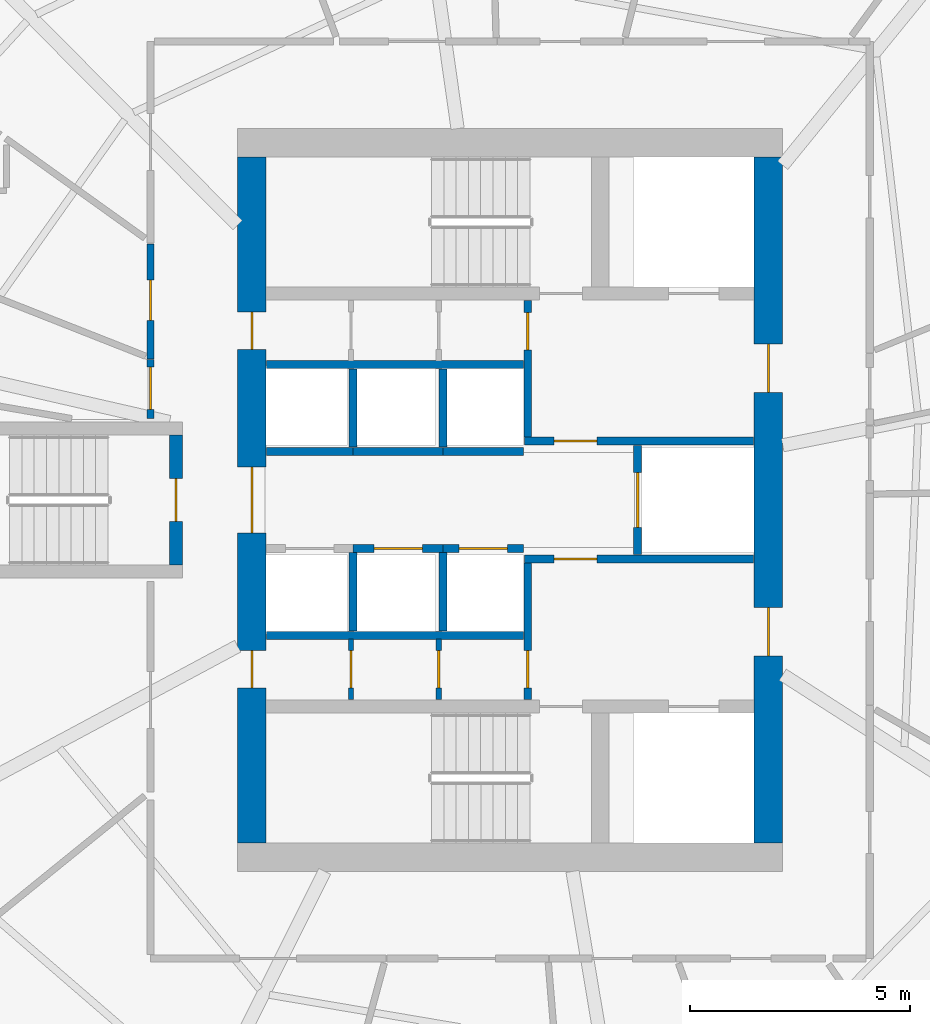
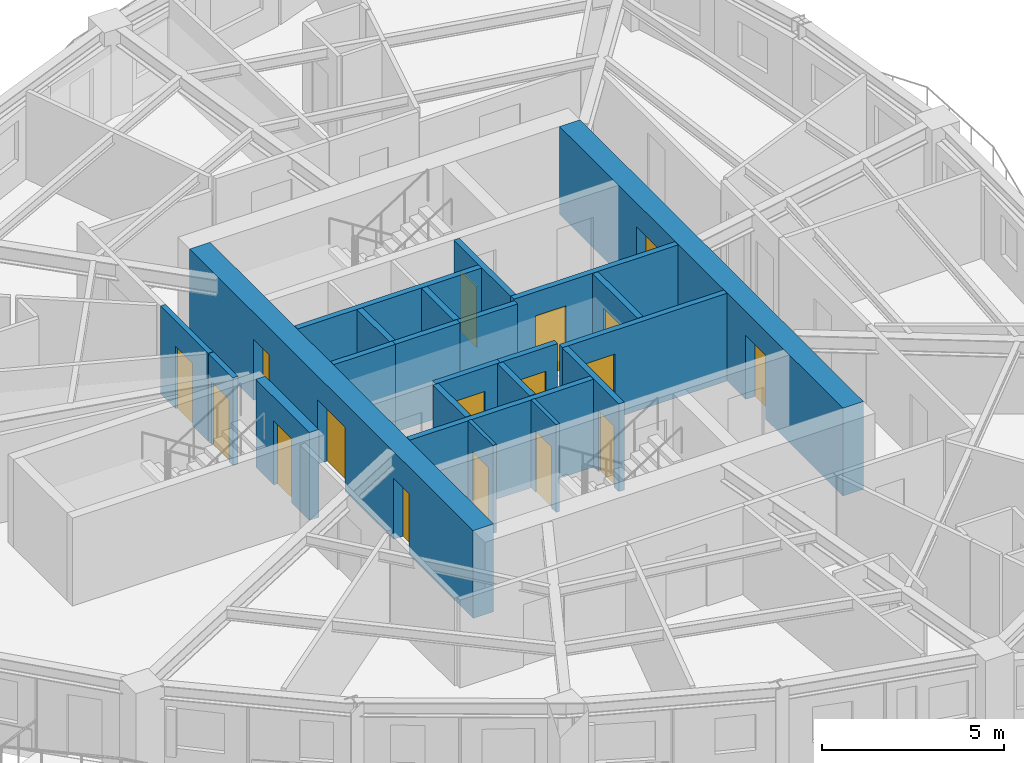
# One storey, part 5 of 12: 23 walls, 17 doors, 17 openings.
"""IFC4 building model written with IfcOpenShell, lengths in metres."""

import ifcopenshell
import ifcopenshell.guid

model = None  # the IFC model being written
_history = None  # IfcOwnerHistory: only IFC2X3 demands one
_inside = {}  # id of a spatial element -> (the spatial element, [elements in it])
_under = {}  # id of a project, library or spatial element -> (it, [spatial elements below it])
_declared = {}  # id of a project -> (the project, [libraries it declares])
_typed = {}  # id of a type object -> (the type object, [elements of that type])
_made_of = {}  # id of a material, layer set ... -> (it, [elements and type objects made of it])


def new_model(schema):
    """Start an empty IFC model of exactly this schema.

    Asked for "IFC4X3", IfcOpenShell would pick the latest addendum, in which some entities
    have other attributes; the version numbers below select the first issue.
    IFC2X3 requires an IfcOwnerHistory on every rooted entity: one is made here for all.
    """
    global model, _history
    if schema == "IFC4X3":
        model = ifcopenshell.file(schema_version=(4, 3, 0, 0))
    else:
        model = ifcopenshell.file(schema=schema)
    _inside.clear()
    _under.clear()
    _declared.clear()
    _typed.clear()
    _made_of.clear()
    _history = None
    if model.schema == "IFC2X3":
        org = make("IfcOrganization", Name="unknown")
        user = make(
            "IfcPersonAndOrganization",
            ThePerson=make("IfcPerson", FamilyName="unknown"),
            TheOrganization=org,
        )
        app = make(
            "IfcApplication",
            ApplicationDeveloper=org,
            Version="unknown",
            ApplicationFullName="unknown",
            ApplicationIdentifier="unknown",
        )
        _history = make(
            "IfcOwnerHistory",
            OwningUser=user,
            OwningApplication=app,
            ChangeAction="ADDED",
            CreationDate=0,
        )
    return model


def make(cls, **values):
    """One entity of the class cls with the attributes given. An attribute that is None is left unset."""
    return model.create_entity(
        cls, **{name: value for name, value in values.items() if value is not None}
    )


def rooted(cls, **values):
    """An entity with a GlobalId (a new one), such as an element, a storey or a relation."""
    return make(cls, GlobalId=ifcopenshell.guid.new(), OwnerHistory=_history, **values)


def si_unit(unit_type, name, prefix=None):
    """IfcSIUnit, for example si_unit("LENGTHUNIT", "METRE", prefix="MILLI")."""
    return make("IfcSIUnit", UnitType=unit_type, Prefix=prefix, Name=name)


def assignment(units):
    """IfcUnitAssignment: the units of a project."""
    return None if units is None else make("IfcUnitAssignment", Units=units)


def point(xyz):
    """IfcCartesianPoint."""
    return None if xyz is None else make("IfcCartesianPoint", Coordinates=xyz)


def direction(xyz):
    """IfcDirection."""
    return None if xyz is None else make("IfcDirection", DirectionRatios=xyz)


def frame(location, z_axis=None, x_axis=None):
    """IfcAxis2Placement3D, a coordinate frame: its origin and axes. An axis left out is left unset."""
    return make(
        "IfcAxis2Placement3D",
        Location=point(location),
        Axis=direction(z_axis),
        RefDirection=direction(x_axis),
    )


def frame_2d(location, x_axis=None):
    """IfcAxis2Placement2D, a coordinate frame in the plane: its origin and x axis."""
    return make(
        "IfcAxis2Placement2D", Location=point(location), RefDirection=direction(x_axis)
    )


def origin():
    """The frame at (0, 0, 0) with its axes left unset."""
    return frame((0.0, 0.0, 0.0))


def place(relative_to, where):
    """IfcLocalPlacement: puts the frame where relative to a parent placement (None: the world)."""
    return make(
        "IfcLocalPlacement", PlacementRelTo=relative_to, RelativePlacement=where
    )


def context(
    kind, dimensions, precision=None, world=None, true_north=None, identifier=None
):
    """IfcGeometricRepresentationContext, for example the 3D "Model" context."""
    return make(
        "IfcGeometricRepresentationContext",
        ContextIdentifier=identifier,
        ContextType=kind,
        CoordinateSpaceDimension=dimensions,
        Precision=precision,
        WorldCoordinateSystem=world,
        TrueNorth=true_north,
    )


def subcontext(parent, identifier, kind, view, scale=None):
    """IfcGeometricRepresentationSubContext, for example "Body" below "Model"."""
    return make(
        "IfcGeometricRepresentationSubContext",
        ContextIdentifier=identifier,
        ContextType=kind,
        ParentContext=parent,
        TargetScale=scale,
        TargetView=view,
    )


def project(units=None, contexts=None):
    """IfcProject with its units and contexts."""
    return rooted(
        "IfcProject",
        Name="project",
        RepresentationContexts=contexts,
        UnitsInContext=assignment(units),
    )


def spatial(cls, under=None, at=None, **own):
    """A site, building, storey or space (cls), placed at a placement, below another one or the project."""
    s = rooted(cls, ObjectPlacement=at, **own)
    if under is not None:
        _under.setdefault(under.id(), (under, []))[1].append(s)
    return s


def profile(cls, at=None, kind="AREA", **sizes):
    """A parametric profile (cls). Its sizes go by their IFC names, for example OverallWidth=200.0."""
    return make(cls, ProfileType=kind, Position=at, **sizes)


def rectangle(**sizes):
    """IfcRectangleProfileDef."""
    return profile("IfcRectangleProfileDef", **sizes)


def extrude(swept, where, along, depth):
    """IfcExtrudedAreaSolid: the profile swept, set in the frame where, extruded along a direction by depth."""
    return make(
        "IfcExtrudedAreaSolid",
        SweptArea=swept,
        Position=where,
        ExtrudedDirection=direction(along),
        Depth=depth,
    )


def shape(context_of_items, identifier, shape_type, items):
    """IfcShapeRepresentation: the items that make up one representation, for example the "Body"."""
    return make(
        "IfcShapeRepresentation",
        ContextOfItems=context_of_items,
        RepresentationIdentifier=identifier,
        RepresentationType=shape_type,
        Items=items,
    )


def source(mapping_origin, context_of_items, identifier, shape_type, items):
    """IfcRepresentationMap: a shape defined once, which mapped items show again and again."""
    return make(
        "IfcRepresentationMap",
        MappingOrigin=mapping_origin,
        MappedRepresentation=shape(context_of_items, identifier, shape_type, items),
    )


def transform(
    local_origin,
    x_axis=None,
    y_axis=None,
    z_axis=None,
    scale=None,
    scale2=None,
    scale3=None,
    uniform=True,
):
    """IfcCartesianTransformationOperator3D, or its non-uniform kind. x_axis, y_axis, z_axis: its Axis1, 2, 3."""
    if uniform:
        return make(
            "IfcCartesianTransformationOperator3D",
            Axis1=direction(x_axis),
            Axis2=direction(y_axis),
            LocalOrigin=point(local_origin),
            Scale=scale,
            Axis3=direction(z_axis),
        )
    return make(
        "IfcCartesianTransformationOperator3DnonUniform",
        Axis1=direction(x_axis),
        Axis2=direction(y_axis),
        LocalOrigin=point(local_origin),
        Scale=scale,
        Axis3=direction(z_axis),
        Scale2=scale2,
        Scale3=scale3,
    )


def mapped(mapping_source, mapping_target):
    """IfcMappedItem: shows the shape of a source again, moved by a transform."""
    return make(
        "IfcMappedItem", MappingSource=mapping_source, MappingTarget=mapping_target
    )


def material(Name=None, Category=None):
    """IfcMaterial."""
    return make("IfcMaterial", Name=Name, Category=Category)


def layer(
    of_material, thickness, ventilated=None, Name=None, Category=None, Priority=None
):
    """IfcMaterialLayer: one layer of a wall or slab, of a material (None: an air gap)."""
    return make(
        "IfcMaterialLayer",
        Material=of_material,
        LayerThickness=thickness,
        IsVentilated=ventilated,
        Name=Name,
        Category=Category,
        Priority=Priority,
    )


def layer_set(layers, Name=None):
    """IfcMaterialLayerSet."""
    return make("IfcMaterialLayerSet", MaterialLayers=layers, LayerSetName=Name)


def made_of(thing, what):
    """Note that an element or type object is made of a material, layer set ...; save() writes the relation."""
    if what is not None:
        _made_of.setdefault(what.id(), (what, []))[1].append(thing)
    return thing


def type_object(cls, material=None, **own):
    """A type object (cls), such as IfcWallType, which elements share."""
    return made_of(rooted(cls, **own), material)


def element(
    cls,
    number,
    at=None,
    inside=None,
    cuts=None,
    type_object=None,
    material=None,
    context=None,
    identifier="Body",
    shape_type=None,
    held_by="IfcProductDefinitionShape",
    body=None,
    shapes=None,
    **own,
):
    """One element of the class cls, such as IfcWall. Its Tag is "e" and its number.

    at: its placement. inside: the storey or other place that contains it. cuts: it is an
    opening in that element (IfcRelVoidsElement). A single representation is given by context,
    identifier, shape_type and body (its items); several are given by shapes. held_by: the class
    of the entity that holds the representations. save() writes the other relations.
    """
    e = rooted(cls, Tag="e%d" % number, ObjectPlacement=at, **own)
    if body is not None:
        shapes = [shape(context, identifier, shape_type, body)]
    if shapes is not None:
        e.Representation = make(held_by, Representations=shapes)
    if inside is not None:
        _inside.setdefault(inside.id(), (inside, []))[1].append(e)
    if cuts is not None:
        rooted(
            "IfcRelVoidsElement", RelatingBuildingElement=cuts, RelatedOpeningElement=e
        )
    if type_object is not None:
        _typed.setdefault(type_object.id(), (type_object, []))[1].append(e)
    return made_of(e, material)


def fill(opening, filler):
    """IfcRelFillsElement: the door or window that sits in an opening."""
    return rooted(
        "IfcRelFillsElement",
        RelatingOpeningElement=opening,
        RelatedBuildingElement=filler,
    )


def aggregate(whole, parts):
    """IfcRelAggregates: a whole, such as a stair, and the parts it consists of."""
    return rooted("IfcRelAggregates", RelatingObject=whole, RelatedObjects=parts)


def save(model, path):
    """Write the relations noted so far, then the file.

    IfcRelAggregates (storeys below a building ...), IfcRelContainedInSpatialStructure (elements
    in a storey), IfcRelDefinesByType, IfcRelAssociatesMaterial and IfcRelDeclares: one each for
    every whole, place, type object, material and project.
    """
    for whole, parts in _under.values():
        aggregate(whole, parts)
    for where, things in _inside.values():
        rooted(
            "IfcRelContainedInSpatialStructure",
            RelatedElements=things,
            RelatingStructure=where,
        )
    for kind, things in _typed.values():
        rooted("IfcRelDefinesByType", RelatedObjects=things, RelatingType=kind)
    for what, things in _made_of.values():
        rooted("IfcRelAssociatesMaterial", RelatedObjects=things, RelatingMaterial=what)
    for by, libraries in _declared.values():
        rooted("IfcRelDeclares", RelatingContext=by, RelatedDefinitions=libraries)
    model.write(path)


model = new_model("IFC4")

# Units and contexts
model_context = context("Model", 3, precision=1e-05, world=origin(), true_north=direction((0.0, 1.0)))
body_context = subcontext(model_context, "Body", "Model", "MODEL_VIEW")
ifc_project = project(units=[si_unit("LENGTHUNIT", "METRE"), si_unit("AREAUNIT", "SQUARE_METRE"), si_unit("VOLUMEUNIT", "CUBIC_METRE"), si_unit("PLANEANGLEUNIT", "RADIAN"), si_unit("MASSUNIT", "GRAM", prefix="KILO")], contexts=[model_context])

# Site, building, storey
site_placement = place(None, origin())
site = spatial("IfcSite", under=ifc_project, at=site_placement, CompositionType="ELEMENT")
building_placement = place(site_placement, origin())
building = spatial("IfcBuilding", under=site, at=building_placement, Name="Qafzar Sky-Pleat Residences", CompositionType="ELEMENT")
storey_placement = place(building_placement, frame((0.0, 0.0, 121.60009765625)))
storey = spatial("IfcBuildingStorey", under=building, at=storey_placement, Name="L36", CompositionType="ELEMENT", Elevation=121.60009765625)

# Wall, opening, door
ifc_material_1 = material(Name="Acoustic gypsum plasterboard partition", Category="gypsum")
ifc_layer_1 = layer(ifc_material_1, 0.159912109375)
ifc_layer_set_1 = layer_set([ifc_layer_1], Name="Acoustic gypsum plasterboard partition")
wall_type_1 = type_object("IfcWallType", Name="PART-COR-160", PredefinedType="PARTITIONING", material=ifc_layer_set_1)
wall_1_placement = place(storey_placement, frame((22.169921875, 29.208984375, 0.0), z_axis=(0.0, 0.0, 1.0), x_axis=(0.0, 1.0, 0.0)))
wall_1 = element("IfcWall", 1, at=wall_1_placement, inside=storey, type_object=wall_type_1, Name="L36 Partition Wall PART-L36-PW-013", PredefinedType="PARTITIONING", context=body_context, shape_type="SweptSolid", body=[
    extrude(rectangle(XDim=2.6201171875, YDim=0.159912109375, at=frame_2d((1.31005859375, 0.0))), origin(), (0.0, 0.0, 1.0), 2.949951171875),
])
opening_1_placement = place(wall_1_placement, frame((0.87548828125, 0.0, 0.0)))
opening_1 = element("IfcOpeningElement", 2, at=opening_1_placement, cuts=wall_1, Name="Opening ID-04", PredefinedType="OPENING", context=body_context, shape_type="SweptSolid", body=[
    extrude(rectangle(XDim=0.919921875, YDim=2.10009765625, at=frame_2d((0.4599609375, 1.050048828125))), frame((0.0, 0.08984375, 0.0), z_axis=(0.0, -1.0, 0.0), x_axis=(1.0, 0.0, 0.0)), (0.0, 0.0, 1.0), 0.179931640625),
])
ifc_material_2 = material(Name="Timber-faced fire door", Category="wood")
door_type_1 = type_object("IfcDoorType", Name="DR-BED-920", OperationType="NOTDEFINED", PredefinedType="DOOR", material=ifc_material_2)
shared_shape_1 = source(origin(), body_context, "Body", "SweptSolid", [
    extrude(rectangle(XDim=0.919921875, YDim=2.10009765625, at=frame_2d((0.4599609375, 1.050048828125))), frame((0.0, 0.02490234375, 0.0), z_axis=(0.0, -1.0, 0.0), x_axis=(1.0, 0.0, 0.0)), (0.0, 0.0, 1.0), 0.050048828125),
])
door_1_placement = place(opening_1_placement, origin())
door_1 = element("IfcDoor", 3, at=door_1_placement, inside=storey, type_object=door_type_1, Name="L36 Co-Living Bedroom 2 Door", OperationType="SINGLE_SWING_LEFT", OverallHeight=2.10009765625, OverallWidth=0.919921875, PredefinedType="DOOR", context=body_context, shape_type="MappedRepresentation", body=[
    mapped(shared_shape_1, transform((0.0, 0.0, 0.0), x_axis=(1.0, 0.0, 0.0), y_axis=(0.0, 1.0, 0.0), z_axis=(0.0, 0.0, 1.0), scale=1.0)),
])
fill(opening_1, door_1)

wall_2_placement = place(storey_placement, frame((22.169921875, 27.85009765625, 0.0), z_axis=(0.0, 0.0, 1.0), x_axis=(0.0, 1.0, 0.0)))
wall_2 = element("IfcWall", 4, at=wall_2_placement, inside=storey, type_object=wall_type_1, Name="L36 Partition Wall PART-L36-PW-020", PredefinedType="PARTITIONING", context=body_context, shape_type="SweptSolid", body=[
    extrude(rectangle(XDim=1.343994140625, YDim=0.159912109375, at=frame_2d((0.671875, 0.0))), origin(), (0.0, 0.0, 1.0), 2.949951171875),
])
opening_2_placement = place(wall_2_placement, frame((0.211181640625, 0.0, 0.0)))
opening_2 = element("IfcOpeningElement", 5, at=opening_2_placement, cuts=wall_2, Name="Opening ID-06", PredefinedType="OPENING", context=body_context, shape_type="SweptSolid", body=[
    extrude(rectangle(XDim=0.9599609375, YDim=2.10009765625, at=frame_2d((0.47998046875, 1.050048828125))), frame((0.0, 0.08984375, 0.0), z_axis=(0.0, -1.0, 0.0), x_axis=(1.0, 0.0, 0.0)), (0.0, 0.0, 1.0), 0.179931640625),
])
door_type_2 = type_object("IfcDoorType", Name="DR-STD-960", OperationType="NOTDEFINED", PredefinedType="DOOR", material=ifc_material_2)
shared_shape_2 = source(origin(), body_context, "Body", "SweptSolid", [
    extrude(rectangle(XDim=0.9599609375, YDim=2.10009765625, at=frame_2d((0.47998046875, 1.050048828125))), frame((0.0, 0.02490234375, 0.0), z_axis=(0.0, -1.0, 0.0), x_axis=(1.0, 0.0, 0.0)), (0.0, 0.0, 1.0), 0.050048828125),
])
door_2_placement = place(opening_2_placement, origin())
door_2 = element("IfcDoor", 6, at=door_2_placement, inside=storey, type_object=door_type_2, Name="L36 Common Dining Room Door", OperationType="SINGLE_SWING_RIGHT", OverallHeight=2.10009765625, OverallWidth=0.9599609375, PredefinedType="DOOR", context=body_context, shape_type="MappedRepresentation", body=[
    mapped(shared_shape_2, transform((0.0, 0.0, 0.0), x_axis=(1.0, 0.0, 0.0), y_axis=(0.0, 1.0, 0.0), z_axis=(0.0, 0.0, 1.0), scale=1.0)),
])
fill(opening_2, door_2)

ifc_material_3 = material(Name="Concrete blockwork partition", Category="masonry")
ifc_layer_2 = layer(ifc_material_3, 0.179931640625)
ifc_layer_set_2 = layer_set([ifc_layer_2], Name="Concrete blockwork partition")
wall_type_2 = type_object("IfcWallType", Name="PART-SHAFT-180", PredefinedType="PARTITIONING", material=ifc_layer_set_2)
wall_3_placement = place(storey_placement, frame((30.75, 21.4599609375, 0.0), z_axis=(0.0, 0.0, 1.0), x_axis=(0.0, 1.0, 0.0)))
wall_3 = element("IfcWall", 7, at=wall_3_placement, inside=storey, type_object=wall_type_2, Name="L36 Partition Wall PART-L36-FFL1-W", PredefinedType="PARTITIONING", context=body_context, shape_type="SweptSolid", body=[
    extrude(rectangle(XDim=3.110107421875, YDim=0.179931640625, at=frame_2d((1.55517578125, 0.0))), origin(), (0.0, 0.0, 1.0), 2.949951171875),
])
opening_3_placement = place(wall_3_placement, frame((0.260009765625, 0.0, 0.0)))
opening_3 = element("IfcOpeningElement", 8, at=opening_3_placement, cuts=wall_3, Name="Opening ID-09", PredefinedType="OPENING", context=body_context, shape_type="SweptSolid", body=[
    extrude(rectangle(XDim=0.860107421875, YDim=2.050048828125, at=frame_2d((0.43017578125, 1.02490234375))), frame((0.0, 0.10009765625, 0.0), z_axis=(0.0, -1.0, 0.0), x_axis=(1.0, 0.0, 0.0)), (0.0, 0.0, 1.0), 0.199951171875),
])
door_type_3 = type_object("IfcDoorType", Name="DR-SVC-860", OperationType="NOTDEFINED", PredefinedType="DOOR", material=ifc_material_2)
shared_shape_3 = source(origin(), body_context, "Body", "SweptSolid", [
    extrude(rectangle(XDim=0.860107421875, YDim=2.050048828125, at=frame_2d((0.43017578125, 1.02490234375))), frame((0.0, 0.02490234375, 0.0), z_axis=(0.0, -1.0, 0.0), x_axis=(1.0, 0.0, 0.0)), (0.0, 0.0, 1.0), 0.050048828125),
])
door_3_placement = place(opening_3_placement, origin())
door_3 = element("IfcDoor", 9, at=door_3_placement, inside=storey, type_object=door_type_3, Name="L36 South Core Cupboard Door", OperationType="SINGLE_SWING_LEFT", OverallHeight=2.050048828125, OverallWidth=0.860107421875, PredefinedType="DOOR", context=body_context, shape_type="MappedRepresentation", body=[
    mapped(shared_shape_3, transform((0.0, 0.0, 0.0), x_axis=(1.0, 0.0, 0.0), y_axis=(0.0, 1.0, 0.0), z_axis=(0.0, 0.0, 1.0), scale=1.0)),
])
fill(opening_3, door_3)

wall_4_placement = place(storey_placement, frame((30.669921875, 24.659912109375, 0.0), z_axis=(0.0, 0.0, 1.0), x_axis=(1.0, 0.0, 0.0)))
wall_4 = element("IfcWall", 10, at=wall_4_placement, inside=storey, type_object=wall_type_2, Name="L36 Partition Wall PART-L36-FFL1-N", PredefinedType="PARTITIONING", context=body_context, shape_type="SweptSolid", body=[
    extrude(rectangle(XDim=5.219970703125, YDim=0.179931640625, at=frame_2d((2.60986328125, 0.0))), origin(), (0.0, 0.0, 1.0), 2.949951171875),
])
opening_4_placement = place(wall_4_placement, frame((0.679931640625, 0.0, 0.0)))
opening_4 = element("IfcOpeningElement", 11, at=opening_4_placement, cuts=wall_4, Name="Opening ID-01", PredefinedType="OPENING", context=body_context, shape_type="SweptSolid", body=[
    extrude(rectangle(XDim=0.97998046875, YDim=2.14990234375, at=frame_2d((0.489990234375, 1.074951171875))), frame((0.0, 0.10009765625, 0.0), z_axis=(0.0, -1.0, 0.0), x_axis=(1.0, 0.0, 0.0)), (0.0, 0.0, 1.0), 0.199951171875),
])
door_type_4 = type_object("IfcDoorType", Name="DR-STAIR-980", OperationType="NOTDEFINED", PredefinedType="DOOR", material=ifc_material_2)
shared_shape_4 = source(origin(), body_context, "Body", "SweptSolid", [
    extrude(rectangle(XDim=0.97998046875, YDim=2.14990234375, at=frame_2d((0.489990234375, 1.074951171875))), frame((0.0, 0.02490234375, 0.0), z_axis=(0.0, -1.0, 0.0), x_axis=(1.0, 0.0, 0.0)), (0.0, 0.0, 1.0), 0.050048828125),
])
door_4_placement = place(opening_4_placement, origin())
door_4 = element("IfcDoor", 12, at=door_4_placement, inside=storey, type_object=door_type_4, Name="L36 Lift Lobby to South Firefighting Lobby Door", OperationType="SINGLE_SWING_RIGHT", OverallHeight=2.14990234375, OverallWidth=0.97998046875, PredefinedType="DOOR", context=body_context, shape_type="MappedRepresentation", body=[
    mapped(shared_shape_4, transform((0.0, 0.0, 0.0), x_axis=(1.0, 0.0, 0.0), y_axis=(0.0, 1.0, 0.0), z_axis=(0.0, 0.0, 1.0), scale=1.0)),
])
fill(opening_4, door_4)

wall_5_placement = place(storey_placement, frame((30.75, 27.429931640625, 0.0), z_axis=(0.0, 0.0, 1.0), x_axis=(0.0, 1.0, 0.0)))
wall_5 = element("IfcWall", 13, at=wall_5_placement, inside=storey, type_object=wall_type_2, Name="L36 Partition Wall PART-L36-FFL2-W", PredefinedType="PARTITIONING", context=body_context, shape_type="SweptSolid", body=[
    extrude(rectangle(XDim=3.110107421875, YDim=0.179931640625, at=frame_2d((1.55517578125, 0.0))), origin(), (0.0, 0.0, 1.0), 2.949951171875),
])
opening_5_placement = place(wall_5_placement, frame((1.97998046875, 0.0, 0.0)))
opening_5 = element("IfcOpeningElement", 14, at=opening_5_placement, cuts=wall_5, Name="Opening ID-09", PredefinedType="OPENING", context=body_context, shape_type="SweptSolid", body=[
    extrude(rectangle(XDim=0.860107421875, YDim=2.050048828125, at=frame_2d((0.43017578125, 1.02490234375))), frame((0.0, 0.10009765625, 0.0), z_axis=(0.0, -1.0, 0.0), x_axis=(1.0, 0.0, 0.0)), (0.0, 0.0, 1.0), 0.199951171875),
])
door_5_placement = place(opening_5_placement, origin())
door_5 = element("IfcDoor", 15, at=door_5_placement, inside=storey, type_object=door_type_3, Name="L36 North Core Cupboard Door", OperationType="SINGLE_SWING_LEFT", OverallHeight=2.050048828125, OverallWidth=0.860107421875, PredefinedType="DOOR", context=body_context, shape_type="MappedRepresentation", body=[
    mapped(shared_shape_3, transform((0.0, 0.0, 0.0), x_axis=(1.0, 0.0, 0.0), y_axis=(0.0, 1.0, 0.0), z_axis=(0.0, 0.0, 1.0), scale=1.0)),
])
fill(opening_5, door_5)

wall_6_placement = place(storey_placement, frame((30.669921875, 27.340087890625, 0.0), z_axis=(0.0, 0.0, 1.0), x_axis=(1.0, 0.0, 0.0)))
wall_6 = element("IfcWall", 16, at=wall_6_placement, inside=storey, type_object=wall_type_2, Name="L36 Partition Wall PART-L36-FFL2-S", PredefinedType="PARTITIONING", context=body_context, shape_type="SweptSolid", body=[
    extrude(rectangle(XDim=5.219970703125, YDim=0.179931640625, at=frame_2d((2.60986328125, 0.0))), origin(), (0.0, 0.0, 1.0), 2.949951171875),
])
opening_6_placement = place(wall_6_placement, frame((0.679931640625, 0.0, 0.0)))
opening_6 = element("IfcOpeningElement", 17, at=opening_6_placement, cuts=wall_6, Name="Opening ID-01", PredefinedType="OPENING", context=body_context, shape_type="SweptSolid", body=[
    extrude(rectangle(XDim=0.97998046875, YDim=2.14990234375, at=frame_2d((0.489990234375, 1.074951171875))), frame((0.0, 0.10009765625, 0.0), z_axis=(0.0, -1.0, 0.0), x_axis=(1.0, 0.0, 0.0)), (0.0, 0.0, 1.0), 0.199951171875),
])
door_6_placement = place(opening_6_placement, origin())
door_6 = element("IfcDoor", 18, at=door_6_placement, inside=storey, type_object=door_type_4, Name="L36 Lift Lobby to North Firefighting Lobby Door", OperationType="SINGLE_SWING_RIGHT", OverallHeight=2.14990234375, OverallWidth=0.97998046875, PredefinedType="DOOR", context=body_context, shape_type="MappedRepresentation", body=[
    mapped(shared_shape_4, transform((0.0, 0.0, 0.0), x_axis=(1.0, 0.0, 0.0), y_axis=(0.0, 1.0, 0.0), z_axis=(0.0, 0.0, 1.0), scale=1.0)),
])
fill(opening_6, door_6)

wall_7_placement = place(storey_placement, frame((33.25, 24.760009765625, 0.0), z_axis=(0.0, 0.0, 1.0), x_axis=(0.0, 1.0, 0.0)))
wall_7 = element("IfcWall", 19, at=wall_7_placement, inside=storey, type_object=wall_type_2, Name="L36 Partition Wall PART-L36-SV1-W", PredefinedType="PARTITIONING", context=body_context, shape_type="SweptSolid", body=[
    extrude(rectangle(XDim=2.47998046875, YDim=0.179931640625, at=frame_2d((1.239990234375, 0.0))), origin(), (0.0, 0.0, 1.0), 2.949951171875),
])
opening_7_placement = place(wall_7_placement, frame((0.614990234375, 0.0, 0.0)))
opening_7 = element("IfcOpeningElement", 20, at=opening_7_placement, cuts=wall_7, Name="Opening LD-03", PredefinedType="OPENING", context=body_context, shape_type="SweptSolid", body=[
    extrude(rectangle(XDim=1.25, YDim=2.14990234375, at=frame_2d((0.625, 1.074951171875))), frame((0.0, 0.10009765625, 0.0), z_axis=(0.0, -1.0, 0.0), x_axis=(1.0, 0.0, 0.0)), (0.0, 0.0, 1.0), 0.199951171875),
])
ifc_material_4 = material(Name="Stainless steel sliding landing door", Category="steel")
door_type_5 = type_object("IfcDoorType", Name="DR-LIFT-SV", OperationType="DOUBLE_DOOR_SLIDING", PredefinedType="DOOR", material=ifc_material_4)
shared_shape_5 = source(origin(), body_context, "Body", "SweptSolid", [
    extrude(rectangle(XDim=1.25, YDim=2.14990234375, at=frame_2d((0.625, 1.074951171875))), frame((0.0, 0.02490234375, 0.0), z_axis=(0.0, -1.0, 0.0), x_axis=(1.0, 0.0, 0.0)), (0.0, 0.0, 1.0), 0.050048828125),
])
door_7_placement = place(opening_7_placement, origin())
door_7 = element("IfcDoor", 21, at=door_7_placement, inside=storey, type_object=door_type_5, Name="L36 Service Lift SV1 Landing Door", OperationType="DOUBLE_DOOR_SLIDING", OverallHeight=2.14990234375, OverallWidth=1.25, PredefinedType="DOOR", context=body_context, shape_type="MappedRepresentation", body=[
    mapped(shared_shape_5, transform((0.0, 0.0, 0.0), x_axis=(1.0, 0.0, 0.0), y_axis=(0.0, 1.0, 0.0), z_axis=(0.0, 0.0, 1.0), scale=1.0)),
])
fill(opening_7, door_7)

# Wall
wall_8_placement = place(storey_placement, frame((24.81005859375, 22.919921875, 0.0), z_axis=(0.0, 0.0, 1.0), x_axis=(1.0, 0.0, 0.0)))
element("IfcWall", 22, at=wall_8_placement, inside=storey, type_object=wall_type_2, Name="L36 Partition Wall PART-L36-P13-S", PredefinedType="PARTITIONING", context=body_context, shape_type="SweptSolid", body=[
    extrude(rectangle(XDim=5.83984375, YDim=0.179931640625, at=frame_2d((2.919921875, 0.0))), origin(), (0.0, 0.0, 1.0), 2.949951171875),
])

# Wall, opening, door
wall_9_placement = place(storey_placement, frame((26.77490234375, 24.89990234375, 0.0), z_axis=(0.0, 0.0, 1.0), x_axis=(1.0, 0.0, 0.0)))
wall_9 = element("IfcWall", 23, at=wall_9_placement, inside=storey, type_object=wall_type_2, Name="L36 Partition Wall PART-L36-P2-N", PredefinedType="PARTITIONING", context=body_context, shape_type="SweptSolid", body=[
    extrude(rectangle(XDim=2.050048828125, YDim=0.179931640625, at=frame_2d((1.02490234375, 0.0))), origin(), (0.0, 0.0, 1.0), 2.949951171875),
])
opening_8_placement = place(wall_9_placement, frame((0.47509765625, 0.0, 0.0)))
opening_8 = element("IfcOpeningElement", 24, at=opening_8_placement, cuts=wall_9, Name="Opening LD-01", PredefinedType="OPENING", context=body_context, shape_type="SweptSolid", body=[
    extrude(rectangle(XDim=1.10009765625, YDim=2.14990234375, at=frame_2d((0.550048828125, 1.074951171875))), frame((0.0, 0.10009765625, 0.0), z_axis=(0.0, -1.0, 0.0), x_axis=(1.0, 0.0, 0.0)), (0.0, 0.0, 1.0), 0.199951171875),
])
door_type_6 = type_object("IfcDoorType", Name="DR-LIFT-P", OperationType="DOUBLE_DOOR_SLIDING", PredefinedType="DOOR", material=ifc_material_4)
shared_shape_6 = source(origin(), body_context, "Body", "SweptSolid", [
    extrude(rectangle(XDim=1.10009765625, YDim=2.14990234375, at=frame_2d((0.550048828125, 1.074951171875))), frame((0.0, 0.02490234375, 0.0), z_axis=(0.0, -1.0, 0.0), x_axis=(1.0, 0.0, 0.0)), (0.0, 0.0, 1.0), 0.050048828125),
])
door_8_placement = place(opening_8_placement, origin())
door_8 = element("IfcDoor", 25, at=door_8_placement, inside=storey, type_object=door_type_6, Name="L36 Passenger Lift P2 Landing Door", OperationType="DOUBLE_DOOR_SLIDING", OverallHeight=2.14990234375, OverallWidth=1.10009765625, PredefinedType="DOOR", context=body_context, shape_type="MappedRepresentation", body=[
    mapped(shared_shape_6, transform((0.0, 0.0, 0.0), x_axis=(1.0, 0.0, 0.0), y_axis=(0.0, 1.0, 0.0), z_axis=(0.0, 0.0, 1.0), scale=1.0)),
])
fill(opening_8, door_8)

# Wall
wall_10_placement = place(storey_placement, frame((26.77490234375, 23.02001953125, 0.0), z_axis=(0.0, 0.0, 1.0), x_axis=(0.0, 1.0, 0.0)))
element("IfcWall", 26, at=wall_10_placement, inside=storey, type_object=wall_type_2, Name="L36 Partition Wall PART-L36-P13-DIV-1", PredefinedType="PARTITIONING", context=body_context, shape_type="SweptSolid", body=[
    extrude(rectangle(XDim=1.780029296875, YDim=0.179931640625, at=frame_2d((0.89013671875, 0.0))), origin(), (0.0, 0.0, 1.0), 2.949951171875),
])

# Wall, opening, door
wall_11_placement = place(storey_placement, frame((28.824951171875, 24.89990234375, 0.0), z_axis=(0.0, 0.0, 1.0), x_axis=(1.0, 0.0, 0.0)))
wall_11 = element("IfcWall", 27, at=wall_11_placement, inside=storey, type_object=wall_type_2, Name="L36 Partition Wall PART-L36-P3-N", PredefinedType="PARTITIONING", context=body_context, shape_type="SweptSolid", body=[
    extrude(rectangle(XDim=1.824951171875, YDim=0.179931640625, at=frame_2d((0.91259765625, 0.0))), origin(), (0.0, 0.0, 1.0), 2.949951171875),
])
opening_9_placement = place(wall_11_placement, frame((0.362548828125, 0.0, 0.0)))
opening_9 = element("IfcOpeningElement", 28, at=opening_9_placement, cuts=wall_11, Name="Opening LD-01", PredefinedType="OPENING", context=body_context, shape_type="SweptSolid", body=[
    extrude(rectangle(XDim=1.10009765625, YDim=2.14990234375, at=frame_2d((0.550048828125, 1.074951171875))), frame((0.0, 0.10009765625, 0.0), z_axis=(0.0, -1.0, 0.0), x_axis=(1.0, 0.0, 0.0)), (0.0, 0.0, 1.0), 0.199951171875),
])
door_9_placement = place(opening_9_placement, origin())
door_9 = element("IfcDoor", 29, at=door_9_placement, inside=storey, type_object=door_type_6, Name="L36 Passenger Lift P3 Landing Door", OperationType="DOUBLE_DOOR_SLIDING", OverallHeight=2.14990234375, OverallWidth=1.10009765625, PredefinedType="DOOR", context=body_context, shape_type="MappedRepresentation", body=[
    mapped(shared_shape_6, transform((0.0, 0.0, 0.0), x_axis=(1.0, 0.0, 0.0), y_axis=(0.0, 1.0, 0.0), z_axis=(0.0, 0.0, 1.0), scale=1.0)),
])
fill(opening_9, door_9)

# Walls
wall_12_placement = place(storey_placement, frame((28.824951171875, 23.02001953125, 0.0), z_axis=(0.0, 0.0, 1.0), x_axis=(0.0, 1.0, 0.0)))
element("IfcWall", 30, at=wall_12_placement, inside=storey, type_object=wall_type_2, Name="L36 Partition Wall PART-L36-P13-DIV-2", PredefinedType="PARTITIONING", context=body_context, shape_type="SweptSolid", body=[
    extrude(rectangle(XDim=1.780029296875, YDim=0.179931640625, at=frame_2d((0.89013671875, 0.0))), origin(), (0.0, 0.0, 1.0), 2.949951171875),
])
wall_13_placement = place(storey_placement, frame((24.81005859375, 29.080078125, 0.0), z_axis=(0.0, 0.0, 1.0), x_axis=(1.0, 0.0, 0.0)))
element("IfcWall", 31, at=wall_13_placement, inside=storey, type_object=wall_type_2, Name="L36 Partition Wall PART-L36-P46-N", PredefinedType="PARTITIONING", context=body_context, shape_type="SweptSolid", body=[
    extrude(rectangle(XDim=5.83984375, YDim=0.179931640625, at=frame_2d((2.919921875, 0.0))), origin(), (0.0, 0.0, 1.0), 2.949951171875),
])
wall_14_placement = place(storey_placement, frame((24.81005859375, 27.10009765625, 0.0), z_axis=(0.0, 0.0, 1.0), x_axis=(1.0, 0.0, 0.0)))
element("IfcWall", 32, at=wall_14_placement, inside=storey, type_object=wall_type_2, Name="L36 Partition Wall PART-L36-P4-S", PredefinedType="PARTITIONING", context=body_context, shape_type="SweptSolid", body=[
    extrude(rectangle(XDim=1.96484375, YDim=0.179931640625, at=frame_2d((0.982421875, 0.0))), origin(), (0.0, 0.0, 1.0), 2.949951171875),
])
wall_15_placement = place(storey_placement, frame((26.77490234375, 27.10009765625, 0.0), z_axis=(0.0, 0.0, 1.0), x_axis=(1.0, 0.0, 0.0)))
element("IfcWall", 33, at=wall_15_placement, inside=storey, type_object=wall_type_2, Name="L36 Partition Wall PART-L36-P5-S", PredefinedType="PARTITIONING", context=body_context, shape_type="SweptSolid", body=[
    extrude(rectangle(XDim=2.050048828125, YDim=0.179931640625, at=frame_2d((1.02490234375, 0.0))), origin(), (0.0, 0.0, 1.0), 2.949951171875),
])
wall_16_placement = place(storey_placement, frame((26.77490234375, 27.199951171875, 0.0), z_axis=(0.0, 0.0, 1.0), x_axis=(0.0, 1.0, 0.0)))
element("IfcWall", 34, at=wall_16_placement, inside=storey, type_object=wall_type_2, Name="L36 Partition Wall PART-L36-P46-DIV-1", PredefinedType="PARTITIONING", context=body_context, shape_type="SweptSolid", body=[
    extrude(rectangle(XDim=1.780029296875, YDim=0.179931640625, at=frame_2d((0.89013671875, 0.0))), origin(), (0.0, 0.0, 1.0), 2.949951171875),
])
wall_17_placement = place(storey_placement, frame((28.824951171875, 27.10009765625, 0.0), z_axis=(0.0, 0.0, 1.0), x_axis=(1.0, 0.0, 0.0)))
element("IfcWall", 35, at=wall_17_placement, inside=storey, type_object=wall_type_2, Name="L36 Partition Wall PART-L36-P6-S", PredefinedType="PARTITIONING", context=body_context, shape_type="SweptSolid", body=[
    extrude(rectangle(XDim=1.824951171875, YDim=0.179931640625, at=frame_2d((0.91259765625, 0.0))), origin(), (0.0, 0.0, 1.0), 2.949951171875),
])
wall_18_placement = place(storey_placement, frame((28.824951171875, 27.199951171875, 0.0), z_axis=(0.0, 0.0, 1.0), x_axis=(0.0, 1.0, 0.0)))
element("IfcWall", 36, at=wall_18_placement, inside=storey, type_object=wall_type_2, Name="L36 Partition Wall PART-L36-P46-DIV-2", PredefinedType="PARTITIONING", context=body_context, shape_type="SweptSolid", body=[
    extrude(rectangle(XDim=1.780029296875, YDim=0.179931640625, at=frame_2d((0.89013671875, 0.0))), origin(), (0.0, 0.0, 1.0), 2.949951171875),
])

# Wall, opening, door
ifc_material_5 = material(Name="Gypsum plasterboard partition", Category="gypsum")
ifc_layer_3 = layer(ifc_material_5, 0.114990234375)
ifc_layer_set_3 = layer_set([ifc_layer_3], Name="Gypsum plasterboard partition")
wall_type_3 = type_object("IfcWallType", Name="PART-SVC-115", PredefinedType="PARTITIONING", material=ifc_layer_set_3)
wall_19_placement = place(storey_placement, frame((26.72509765625, 21.4599609375, 0.0), z_axis=(0.0, 0.0, 1.0), x_axis=(0.0, 1.0, 0.0)))
wall_19 = element("IfcWall", 37, at=wall_19_placement, inside=storey, type_object=wall_type_3, Name="L36 Partition Wall PART-L36-KC-SW-1", PredefinedType="PARTITIONING", context=body_context, shape_type="SweptSolid", body=[
    extrude(rectangle(XDim=1.380126953125, YDim=0.114990234375, at=frame_2d((0.68994140625, 0.0))), origin(), (0.0, 0.0, 1.0), 2.949951171875),
])
opening_10_placement = place(wall_19_placement, frame((0.260009765625, 0.0, 0.0)))
opening_10 = element("IfcOpeningElement", 38, at=opening_10_placement, cuts=wall_19, Name="Opening ID-09", PredefinedType="OPENING", context=body_context, shape_type="SweptSolid", body=[
    extrude(rectangle(XDim=0.860107421875, YDim=2.050048828125, at=frame_2d((0.43017578125, 1.02490234375))), frame((0.0, 0.0673828125, 0.0), z_axis=(0.0, -1.0, 0.0), x_axis=(1.0, 0.0, 0.0)), (0.0, 0.0, 1.0), 0.135009765625),
])
door_10_placement = place(opening_10_placement, origin())
door_10 = element("IfcDoor", 39, at=door_10_placement, inside=storey, type_object=door_type_3, Name="L36 Core South Cupboard 1 Door", OperationType="SINGLE_SWING_LEFT", OverallHeight=2.050048828125, OverallWidth=0.860107421875, PredefinedType="DOOR", context=body_context, shape_type="MappedRepresentation", body=[
    mapped(shared_shape_3, transform((0.0, 0.0, 0.0), x_axis=(1.0, 0.0, 0.0), y_axis=(0.0, 1.0, 0.0), z_axis=(0.0, 0.0, 1.0), scale=1.0)),
])
fill(opening_10, door_10)

wall_20_placement = place(storey_placement, frame((28.72509765625, 21.4599609375, 0.0), z_axis=(0.0, 0.0, 1.0), x_axis=(0.0, 1.0, 0.0)))
wall_20 = element("IfcWall", 40, at=wall_20_placement, inside=storey, type_object=wall_type_3, Name="L36 Partition Wall PART-L36-KC-SW-2", PredefinedType="PARTITIONING", context=body_context, shape_type="SweptSolid", body=[
    extrude(rectangle(XDim=1.380126953125, YDim=0.114990234375, at=frame_2d((0.68994140625, 0.0))), origin(), (0.0, 0.0, 1.0), 2.949951171875),
])
opening_11_placement = place(wall_20_placement, frame((0.260009765625, 0.0, 0.0)))
opening_11 = element("IfcOpeningElement", 41, at=opening_11_placement, cuts=wall_20, Name="Opening ID-09", PredefinedType="OPENING", context=body_context, shape_type="SweptSolid", body=[
    extrude(rectangle(XDim=0.860107421875, YDim=2.050048828125, at=frame_2d((0.43017578125, 1.02490234375))), frame((0.0, 0.0673828125, 0.0), z_axis=(0.0, -1.0, 0.0), x_axis=(1.0, 0.0, 0.0)), (0.0, 0.0, 1.0), 0.135009765625),
])
door_11_placement = place(opening_11_placement, origin())
door_11 = element("IfcDoor", 42, at=door_11_placement, inside=storey, type_object=door_type_3, Name="L36 Core South Cupboard 2 Door", OperationType="SINGLE_SWING_LEFT", OverallHeight=2.050048828125, OverallWidth=0.860107421875, PredefinedType="DOOR", context=body_context, shape_type="MappedRepresentation", body=[
    mapped(shared_shape_3, transform((0.0, 0.0, 0.0), x_axis=(1.0, 0.0, 0.0), y_axis=(0.0, 1.0, 0.0), z_axis=(0.0, 0.0, 1.0), scale=1.0)),
])
fill(opening_11, door_11)

ifc_material_6 = material(Name="Concrete C60/75", Category="concrete")
ifc_layer_4 = layer(ifc_material_6, 0.300048828125)
ifc_layer_set_4 = layer_set([ifc_layer_4], Name="Concrete C60/75")
wall_type_4 = type_object("IfcWallType", Name="WALL-SHEAR-300", PredefinedType="SHEAR", material=ifc_layer_set_4)
wall_21_placement = place(storey_placement, frame((22.75, 24.52490234375, 0.0), z_axis=(0.0, 0.0, 1.0), x_axis=(0.0, 1.0, 0.0)))
wall_21 = element("IfcWall", 43, at=wall_21_placement, inside=storey, type_object=wall_type_4, Name="L36 ST3 wall E", PredefinedType="SHEAR", context=body_context, shape_type="SweptSolid", body=[
    extrude(rectangle(XDim=2.9501953125, YDim=0.300048828125, at=frame_2d((1.47509765625, 0.0))), origin(), (0.0, 0.0, 1.0), 2.949951171875),
])
opening_12_placement = place(wall_21_placement, frame((0.985107421875, 0.0, 0.0)))
opening_12 = element("IfcOpeningElement", 44, at=opening_12_placement, cuts=wall_21, Name="Opening ID-01", PredefinedType="OPENING", context=body_context, shape_type="SweptSolid", body=[
    extrude(rectangle(XDim=0.97998046875, YDim=2.14990234375, at=frame_2d((0.489990234375, 1.074951171875))), frame((0.0, 0.16015625, 0.0), z_axis=(0.0, -1.0, 0.0), x_axis=(1.0, 0.0, 0.0)), (0.0, 0.0, 1.0), 0.320068359375),
])
door_12_placement = place(opening_12_placement, origin())
door_12 = element("IfcDoor", 45, at=door_12_placement, inside=storey, type_object=door_type_4, Name="L36 Stair ST3 Fire Door", OperationType="SINGLE_SWING_RIGHT", OverallHeight=2.14990234375, OverallWidth=0.97998046875, PredefinedType="DOOR", context=body_context, shape_type="MappedRepresentation", body=[
    mapped(shared_shape_4, transform((0.0, 0.0, 0.0), x_axis=(1.0, 0.0, 0.0), y_axis=(0.0, 1.0, 0.0), z_axis=(0.0, 0.0, 1.0), scale=1.0)),
])
fill(opening_12, door_12)

# Wall, openings, doors
ifc_layer_5 = layer(ifc_material_6, 0.64990234375)
ifc_layer_set_5 = layer_set([ifc_layer_5], Name="Concrete C60/75")
wall_type_5 = type_object("IfcWallType", Name="WALL-SHEAR-650", PredefinedType="SHEAR", material=ifc_layer_set_5)
wall_22_placement = place(storey_placement, frame((24.47509765625, 33.800048828125, 0.0), z_axis=(0.0, 0.0, 1.0), x_axis=(0.0, -1.0, 0.0)))
wall_22 = element("IfcWall", 46, at=wall_22_placement, inside=storey, type_object=wall_type_5, Name="L36 CORE wall W", PredefinedType="SHEAR", context=body_context, shape_type="SweptSolid", body=[
    extrude(rectangle(XDim=15.60009765625, YDim=0.64990234375, at=frame_2d((7.800048828125, 0.0))), origin(), (0.0, 0.0, 1.0), 2.949951171875),
])
opening_13_placement = place(wall_22_placement, frame((7.050048828125, 0.0, 0.0)))
opening_13 = element("IfcOpeningElement", 47, at=opening_13_placement, cuts=wall_22, Name="Opening ID-03", PredefinedType="OPENING", context=body_context, shape_type="SweptSolid", body=[
    extrude(rectangle(XDim=1.5, YDim=2.14990234375, at=frame_2d((0.75, 1.074951171875))), frame((0.0, 0.3349609375, 0.0), z_axis=(0.0, -1.0, 0.0), x_axis=(1.0, 0.0, 0.0)), (0.0, 0.0, 1.0), 0.669921875),
])
opening_14_placement = place(wall_22_placement, frame((3.52001953125, 0.0, 0.0)))
opening_14 = element("IfcOpeningElement", 48, at=opening_14_placement, cuts=wall_22, Name="Opening ID-09", PredefinedType="OPENING", context=body_context, shape_type="SweptSolid", body=[
    extrude(rectangle(XDim=0.860107421875, YDim=2.050048828125, at=frame_2d((0.43017578125, 1.02490234375))), frame((0.0, 0.3349609375, 0.0), z_axis=(0.0, -1.0, 0.0), x_axis=(1.0, 0.0, 0.0)), (0.0, 0.0, 1.0), 0.669921875),
])
opening_15_placement = place(wall_22_placement, frame((11.219970703125, 0.0, 0.0)))
opening_15 = element("IfcOpeningElement", 49, at=opening_15_placement, cuts=wall_22, Name="Opening ID-09", PredefinedType="OPENING", context=body_context, shape_type="SweptSolid", body=[
    extrude(rectangle(XDim=0.860107421875, YDim=2.050048828125, at=frame_2d((0.43017578125, 1.02490234375))), frame((0.0, 0.3349609375, 0.0), z_axis=(0.0, -1.0, 0.0), x_axis=(1.0, 0.0, 0.0)), (0.0, 0.0, 1.0), 0.669921875),
])
door_type_7 = type_object("IfcDoorType", Name="DR-COR-1500", OperationType="DOUBLE_DOOR_SINGLE_SWING", PredefinedType="DOOR", material=ifc_material_2)
shared_shape_7 = source(origin(), body_context, "Body", "SweptSolid", [
    extrude(rectangle(XDim=1.5, YDim=2.14990234375, at=frame_2d((0.75, 1.074951171875))), frame((0.0, 0.02490234375, 0.0), z_axis=(0.0, -1.0, 0.0), x_axis=(1.0, 0.0, 0.0)), (0.0, 0.0, 1.0), 0.050048828125),
])
door_13_placement = place(opening_13_placement, origin())
door_13 = element("IfcDoor", 50, at=door_13_placement, inside=storey, type_object=door_type_7, Name="L36 Lift Lobby West Double Door", OperationType="DOUBLE_DOOR_SINGLE_SWING", OverallHeight=2.14990234375, OverallWidth=1.5, PredefinedType="DOOR", context=body_context, shape_type="MappedRepresentation", body=[
    mapped(shared_shape_7, transform((0.0, 0.0, 0.0), x_axis=(1.0, 0.0, 0.0), y_axis=(0.0, 1.0, 0.0), z_axis=(0.0, 0.0, 1.0), scale=1.0)),
])
fill(opening_13, door_13)
door_14_placement = place(opening_14_placement, origin())
door_14 = element("IfcDoor", 51, at=door_14_placement, inside=storey, type_object=door_type_3, Name="L36 Core North-West Service Door", OperationType="SINGLE_SWING_LEFT", OverallHeight=2.050048828125, OverallWidth=0.860107421875, PredefinedType="DOOR", context=body_context, shape_type="MappedRepresentation", body=[
    mapped(shared_shape_3, transform((0.0, 0.0, 0.0), x_axis=(1.0, 0.0, 0.0), y_axis=(0.0, 1.0, 0.0), z_axis=(0.0, 0.0, 1.0), scale=1.0)),
])
fill(opening_14, door_14)
door_15_placement = place(opening_15_placement, origin())
door_15 = element("IfcDoor", 52, at=door_15_placement, inside=storey, type_object=door_type_3, Name="L36 Core South-West Service Door", OperationType="SINGLE_SWING_RIGHT", OverallHeight=2.050048828125, OverallWidth=0.860107421875, PredefinedType="DOOR", context=body_context, shape_type="MappedRepresentation", body=[
    mapped(shared_shape_3, transform((0.0, 0.0, 0.0), x_axis=(1.0, 0.0, 0.0), y_axis=(0.0, 1.0, 0.0), z_axis=(0.0, 0.0, 1.0), scale=1.0)),
])
fill(opening_15, door_15)

wall_23_placement = place(storey_placement, frame((36.22509765625, 18.199951171875, 0.0), z_axis=(0.0, 0.0, 1.0), x_axis=(0.0, 1.0, 0.0)))
wall_23 = element("IfcWall", 53, at=wall_23_placement, inside=storey, type_object=wall_type_5, Name="L36 CORE wall E", PredefinedType="SHEAR", context=body_context, shape_type="SweptSolid", body=[
    extrude(rectangle(XDim=15.60009765625, YDim=0.64990234375, at=frame_2d((7.800048828125, 0.0))), origin(), (0.0, 0.0, 1.0), 2.949951171875),
])
opening_16_placement = place(wall_23_placement, frame((4.25, 0.0, 0.0)))
opening_16 = element("IfcOpeningElement", 54, at=opening_16_placement, cuts=wall_23, Name="Opening ID-02", PredefinedType="OPENING", context=body_context, shape_type="SweptSolid", body=[
    extrude(rectangle(XDim=1.10009765625, YDim=2.14990234375, at=frame_2d((0.550048828125, 1.074951171875))), frame((0.0, 0.3349609375, 0.0), z_axis=(0.0, -1.0, 0.0), x_axis=(1.0, 0.0, 0.0)), (0.0, 0.0, 1.0), 0.669921875),
])
opening_17_placement = place(wall_23_placement, frame((10.25, 0.0, 0.0)))
opening_17 = element("IfcOpeningElement", 55, at=opening_17_placement, cuts=wall_23, Name="Opening ID-02", PredefinedType="OPENING", context=body_context, shape_type="SweptSolid", body=[
    extrude(rectangle(XDim=1.10009765625, YDim=2.14990234375, at=frame_2d((0.550048828125, 1.074951171875))), frame((0.0, 0.3349609375, 0.0), z_axis=(0.0, -1.0, 0.0), x_axis=(1.0, 0.0, 0.0)), (0.0, 0.0, 1.0), 0.669921875),
])
door_type_8 = type_object("IfcDoorType", Name="DR-FFL-1100", OperationType="NOTDEFINED", PredefinedType="DOOR", material=ifc_material_2)
door_16_placement = place(opening_16_placement, origin())
door_16 = element("IfcDoor", 56, at=door_16_placement, inside=storey, type_object=door_type_8, Name="L36 Firefighting Lobby South Corridor Door", OperationType="SINGLE_SWING_LEFT", OverallHeight=2.14990234375, OverallWidth=1.10009765625, PredefinedType="DOOR", context=body_context, shape_type="MappedRepresentation", body=[
    mapped(shared_shape_6, transform((0.0, 0.0, 0.0), x_axis=(1.0, 0.0, 0.0), y_axis=(0.0, 1.0, 0.0), z_axis=(0.0, 0.0, 1.0), scale=1.0)),
])
fill(opening_16, door_16)
door_17_placement = place(opening_17_placement, origin())
door_17 = element("IfcDoor", 57, at=door_17_placement, inside=storey, type_object=door_type_8, Name="L36 Firefighting Lobby North Corridor Door", OperationType="SINGLE_SWING_RIGHT", OverallHeight=2.14990234375, OverallWidth=1.10009765625, PredefinedType="DOOR", context=body_context, shape_type="MappedRepresentation", body=[
    mapped(shared_shape_6, transform((0.0, 0.0, 0.0), x_axis=(1.0, 0.0, 0.0), y_axis=(0.0, 1.0, 0.0), z_axis=(0.0, 0.0, 1.0), scale=1.0)),
])
fill(opening_17, door_17)

save(model, "model.ifc")
